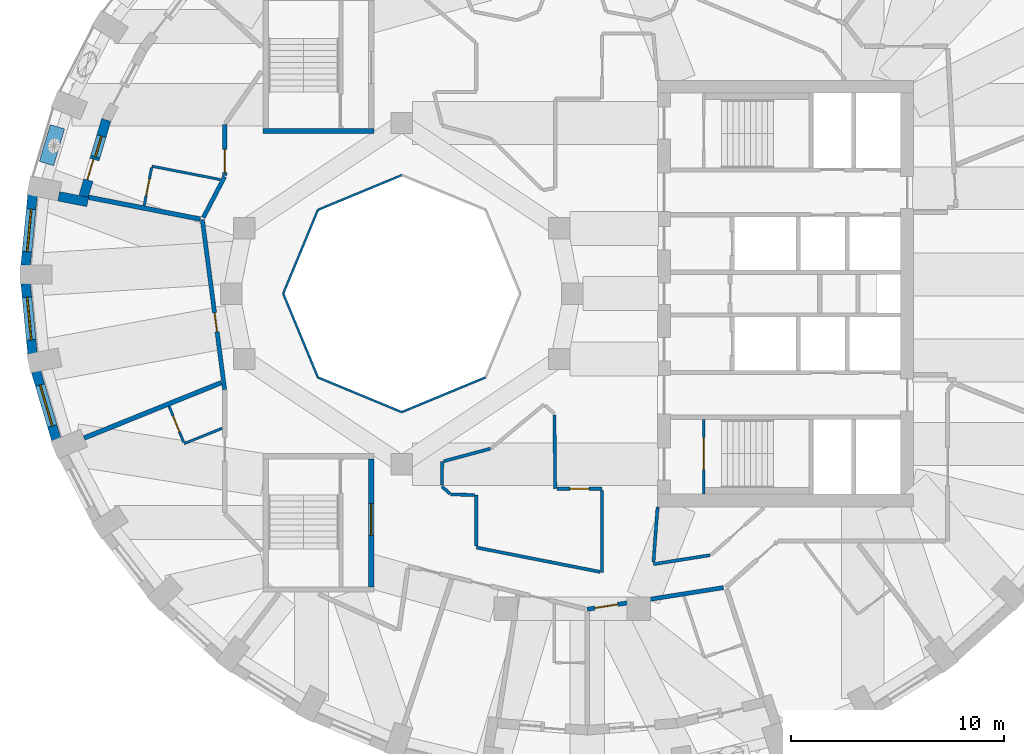
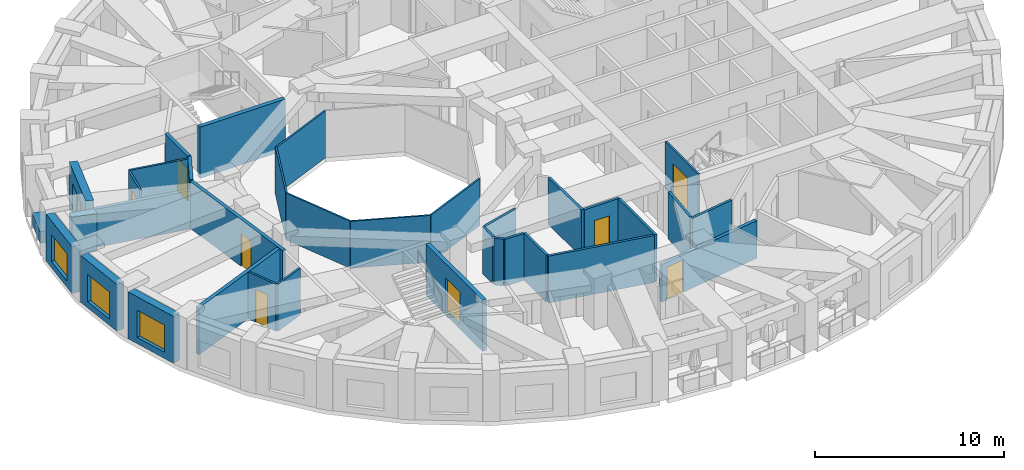
# One storey, part 4 of 12: 35 walls, 9 doors, 4 windows, 13 openings.
"""IFC4 building model written with IfcOpenShell, lengths in metres."""

from ifc_helpers import new_model, si_unit, direction, frame, frame_2d, origin, place, context, subcontext, project, spatial, rectangle, extrude, material, layer, layer_set, constituent, constituent_set, type_object, element, fill, save


model = new_model("IFC4")

# Units and contexts
model_context = context("Model", 3, precision=1e-05, world=origin(), true_north=direction((0.0, 1.0)))
body_context = subcontext(model_context, "Body", "Model", "MODEL_VIEW")
ifc_project = project(units=[si_unit("LENGTHUNIT", "METRE"), si_unit("AREAUNIT", "SQUARE_METRE"), si_unit("VOLUMEUNIT", "CUBIC_METRE"), si_unit("PLANEANGLEUNIT", "RADIAN"), si_unit("MASSUNIT", "GRAM", prefix="KILO")], contexts=[model_context])

# Site, building, storey
site_placement = place(None, origin())
site = spatial("IfcSite", under=ifc_project, at=site_placement, CompositionType="ELEMENT")
building_placement = place(site_placement, origin())
building = spatial("IfcBuilding", under=site, at=building_placement, Name="Taillehof Tower", CompositionType="ELEMENT")
storey_placement = place(building_placement, frame((0.0, 0.0, 202.39990234375)))
storey = spatial("IfcBuildingStorey", under=building, at=storey_placement, Name="L57", CompositionType="ELEMENT", Elevation=202.39990234375)

# Walls
ifc_material_1 = material(Name="Fire-resisting glass in steel frame", Category="steel")
ifc_layer_1 = layer(ifc_material_1, 0.10009765625)
ifc_layer_set_1 = layer_set([ifc_layer_1], Name="Atrium fire-resisting screen EI 60 100")
wall_type_1 = type_object("IfcWallType", Name="Atrium fire-resisting screen EI 60 100", PredefinedType="PARTITIONING", material=ifc_layer_set_1)
for number, where, z_axis, x_axis, name in (
    (1, (-4.07275390625, -3.92724609375, 0.0), (0.0, 0.0, 1.0), (-0.923860025149, -0.382730523909, 0.0), "Atrium screen"),
    (2, (-8.0, -5.55419921875, 0.0), (0.0, 0.0, 1.0), (-0.923860025149, 0.382730523909, 0.0), "Atrium screen"),
    (3, (-11.92724609375, -3.92724609375, 0.0), (0.0, 0.0, 1.0), (-0.382730523909, 0.923860025149, 0.0), "Atrium screen"),
    (4, (-13.55419921875, 0.0, 0.0), (0.0, 0.0, 1.0), (0.382730523909, 0.923860025149, 0.0), "Atrium screen"),
    (5, (-11.92724609375, 3.92724609375, 0.0), (0.0, 0.0, 1.0), (0.923860025149, 0.382730523909, 0.0), "Atrium screen"),
):
    element("IfcWall", number, at=place(storey_placement, frame(where, z_axis=z_axis, x_axis=x_axis)), inside=storey, type_object=wall_type_1, Name=name, PredefinedType="PARTITIONING", context=body_context, shape_type="SweptSolid", body=[
        extrude(rectangle(XDim=4.2509765625, YDim=0.10009765625, at=frame_2d((2.12548828125, 0.0))), origin(), (0.0, 0.0, 1.0), 3.02001953125),
    ])

# Wall, opening, window
ifc_material_2 = material(Name="Brick masonry", Category="masonry")
ifc_layer_2 = layer(ifc_material_2, 0.449951171875)
ifc_layer_set_2 = layer_set([ifc_layer_2], Name="Brick infill wall 450")
wall_type_2 = type_object("IfcWallType", Name="Brick infill wall 450", PredefinedType="SOLIDWALL", material=ifc_layer_set_2)
wall_1_placement = place(storey_placement, frame((-25.313232421875, 4.607666015625, 0.0), z_axis=(0.0, 0.0, 1.0), x_axis=(-0.096824116835, -0.995301507283, 0.0)))
wall_1 = element("IfcWall", 6, at=wall_1_placement, inside=storey, type_object=wall_type_2, Name="Brick wall L57 bay 18", PredefinedType="SOLIDWALL", context=body_context, shape_type="SweptSolid", body=[
    extrude(rectangle(XDim=3.29296875, YDim=0.449951171875, at=frame_2d((1.646484375, 0.0))), origin(), (0.0, 0.0, 1.0), 3.02001953125),
])
opening_1_placement = place(wall_1_placement, frame((0.646484375, 0.0, 0.39990234375)))
opening_1 = element("IfcOpeningElement", 7, at=opening_1_placement, cuts=wall_1, Name="Opening W2", PredefinedType="OPENING", context=body_context, shape_type="SweptSolid", body=[
    extrude(rectangle(XDim=2.0, YDim=1.75, at=frame_2d((1.0, 0.875))), frame((0.0, 0.23486328125, 0.0), z_axis=(0.0, -1.0, 0.0), x_axis=(1.0, 0.0, 0.0)), (0.0, 0.0, 1.0), 0.469970703125),
])
ifc_material_3 = material(Name="Aluminium window frame with clear double glazing", Category="aluminium")
window_type_1 = type_object("IfcWindowType", Name="Deep-set window 2000x1750", PartitioningType="SINGLE_PANEL", PredefinedType="WINDOW", material=ifc_material_3)
window_1_placement = place(opening_1_placement, origin())
window_1 = element("IfcWindow", 8, at=window_1_placement, inside=storey, type_object=window_type_1, Name="W2", OverallHeight=1.75, OverallWidth=2.0, PartitioningType="SINGLE_PANEL", PredefinedType="WINDOW", context=body_context, shape_type="SweptSolid", body=[
    extrude(rectangle(XDim=2.0, YDim=1.75, at=frame_2d((1.0, 0.875))), frame((0.0, 0.034912109375, 0.0), z_axis=(0.0, -1.0, 0.0), x_axis=(1.0, 0.0, 0.0)), (0.0, 0.0, 1.0), 0.06005859375),
])
fill(opening_1, window_1)

wall_2_placement = place(storey_placement, frame((-25.632080078125, 0.469970703125, 0.0), z_axis=(0.0, 0.0, 1.0), x_axis=(0.096816972749, -0.995302202242, 0.0)))
wall_2 = element("IfcWall", 9, at=wall_2_placement, inside=storey, type_object=wall_type_2, Name="Brick wall L57 bay 19", PredefinedType="SOLIDWALL", context=body_context, shape_type="SweptSolid", body=[
    extrude(rectangle(XDim=3.293212890625, YDim=0.449951171875, at=frame_2d((1.646484375, 0.0))), origin(), (0.0, 0.0, 1.0), 3.02001953125),
])
opening_2_placement = place(wall_2_placement, frame((0.646484375, 0.0, 0.39990234375)))
opening_2 = element("IfcOpeningElement", 10, at=opening_2_placement, cuts=wall_2, Name="Opening W2", PredefinedType="OPENING", context=body_context, shape_type="SweptSolid", body=[
    extrude(rectangle(XDim=2.0, YDim=1.75, at=frame_2d((1.0, 0.875))), frame((0.0, 0.23486328125, 0.0), z_axis=(0.0, -1.0, 0.0), x_axis=(1.0, 0.0, 0.0)), (0.0, 0.0, 1.0), 0.469970703125),
])
window_2_placement = place(opening_2_placement, origin())
window_2 = element("IfcWindow", 11, at=window_2_placement, inside=storey, type_object=window_type_1, Name="W2", OverallHeight=1.75, OverallWidth=2.0, PartitioningType="SINGLE_PANEL", PredefinedType="WINDOW", context=body_context, shape_type="SweptSolid", body=[
    extrude(rectangle(XDim=2.0, YDim=1.75, at=frame_2d((1.0, 0.875))), frame((0.0, 0.034912109375, 0.0), z_axis=(0.0, -1.0, 0.0), x_axis=(1.0, 0.0, 0.0)), (0.0, 0.0, 1.0), 0.06005859375),
])
fill(opening_2, window_2)

wall_3_placement = place(storey_placement, frame((-25.148193359375, -3.65185546875, 0.0), z_axis=(0.0, 0.0, 1.0), x_axis=(0.285444972963, -0.958395099847, 0.0)))
wall_3 = element("IfcWall", 12, at=wall_3_placement, inside=storey, type_object=wall_type_2, Name="Brick wall L57 bay 20", PredefinedType="SOLIDWALL", context=body_context, shape_type="SweptSolid", body=[
    extrude(rectangle(XDim=3.3203125, YDim=0.449951171875, at=frame_2d((1.66015625, 0.0))), origin(), (0.0, 0.0, 1.0), 3.02001953125),
])
opening_3_placement = place(wall_3_placement, frame((0.66015625, 0.0, 0.39990234375)))
opening_3 = element("IfcOpeningElement", 13, at=opening_3_placement, cuts=wall_3, Name="Opening W2", PredefinedType="OPENING", context=body_context, shape_type="SweptSolid", body=[
    extrude(rectangle(XDim=2.0, YDim=1.75, at=frame_2d((1.0, 0.875))), frame((0.0, 0.23486328125, 0.0), z_axis=(0.0, -1.0, 0.0), x_axis=(1.0, 0.0, 0.0)), (0.0, 0.0, 1.0), 0.469970703125),
])
window_3_placement = place(opening_3_placement, origin())
window_3 = element("IfcWindow", 14, at=window_3_placement, inside=storey, type_object=window_type_1, Name="W2", OverallHeight=1.75, OverallWidth=2.0, PartitioningType="SINGLE_PANEL", PredefinedType="WINDOW", context=body_context, shape_type="SweptSolid", body=[
    extrude(rectangle(XDim=2.0, YDim=1.75, at=frame_2d((1.0, 0.875))), frame((0.0, 0.034912109375, 0.0), z_axis=(0.0, -1.0, 0.0), x_axis=(1.0, 0.0, 0.0)), (0.0, 0.0, 1.0), 0.06005859375),
])
fill(opening_3, window_3)

# Wall
wall_4_placement = place(storey_placement, frame((-24.086669921875, 4.56298828125, 0.0), z_axis=(0.0, 0.0, 1.0), x_axis=(0.98143579878, -0.191790961394, 0.0)))
element("IfcWall", 15, at=wall_4_placement, inside=storey, type_object=wall_type_2, Name="Brick reveal L57 pocket 4", PredefinedType="SOLIDWALL", context=body_context, shape_type="SweptSolid", body=[
    extrude(rectangle(XDim=1.39013671875, YDim=0.449951171875, at=frame_2d((0.695068359375, 0.0))), origin(), (0.0, 0.0, 1.0), 2.47021484375),
])

# Wall, openings, door, window
wall_5_placement = place(storey_placement, frame((-21.8544921875, 8.146484375, 0.0), z_axis=(0.0, 0.0, 1.0), x_axis=(-0.284757753004, -0.958599510799, 0.0)))
wall_5 = element("IfcWall", 16, at=wall_5_placement, inside=storey, type_object=wall_type_2, Name="Brick wall L57 pocket bay 17", PredefinedType="SOLIDWALL", context=body_context, shape_type="SweptSolid", body=[
    extrude(rectangle(XDim=3.7373046875, YDim=0.449951171875, at=frame_2d((1.86865234375, 0.0))), origin(), (0.0, 0.0, 1.0), 3.02001953125),
])
opening_4_placement = place(wall_5_placement, frame((0.793701171875, 0.0, 0.39990234375)))
opening_4 = element("IfcOpeningElement", 17, at=opening_4_placement, cuts=wall_5, Name="Opening W5", PredefinedType="OPENING", context=body_context, shape_type="SweptSolid", body=[
    extrude(rectangle(XDim=1.0, YDim=1.75, at=frame_2d((0.5, 0.875))), frame((0.0, 0.23486328125, 0.0), z_axis=(0.0, -1.0, 0.0), x_axis=(1.0, 0.0, 0.0)), (0.0, 0.0, 1.0), 0.469970703125),
])
opening_5_placement = place(wall_5_placement, frame((1.943603515625, 0.0, 0.0)))
opening_5 = element("IfcOpeningElement", 18, at=opening_5_placement, cuts=wall_5, Name="Opening D5793", PredefinedType="OPENING", context=body_context, shape_type="SweptSolid", body=[
    extrude(rectangle(XDim=1.0, YDim=2.14990234375, at=frame_2d((0.5, 1.074951171875))), frame((0.0, 0.23486328125, 0.0), z_axis=(0.0, -1.0, 0.0), x_axis=(1.0, 0.0, 0.0)), (0.0, 0.0, 1.0), 0.469970703125),
])
ifc_material_4 = material(Name="Aluminium door frame with clear double glazing", Category="aluminium")
door_type_1 = type_object("IfcDoorType", Name="Balcony door 1000x2150", OperationType="SINGLE_SWING_RIGHT", PredefinedType="DOOR", material=ifc_material_4)
door_1_placement = place(opening_5_placement, frame((1.0, 0.0, 0.0), z_axis=(0.0, 0.0, 1.0), x_axis=(-1.0, 0.0, 0.0)))
door_1 = element("IfcDoor", 19, at=door_1_placement, inside=storey, type_object=door_type_1, Name="Balcony door L57 bay 17", OperationType="SINGLE_SWING_LEFT", OverallHeight=2.14990234375, OverallWidth=1.0, PredefinedType="DOOR", context=body_context, shape_type="SweptSolid", body=[
    extrude(rectangle(XDim=1.0, YDim=2.14990234375, at=frame_2d((0.5, 1.074951171875))), frame((0.0, 0.0751953125, 0.0), z_axis=(0.0, -1.0, 0.0), x_axis=(1.0, 0.0, 0.0)), (0.0, 0.0, 1.0), 0.050048828125),
])
fill(opening_5, door_1)
ifc_material_5 = material(Name="Aluminium window frame with clear double glazing", Category="aluminium")
window_type_2 = type_object("IfcWindowType", Name="Fixed window 1000x1750", PartitioningType="SINGLE_PANEL", PredefinedType="WINDOW", material=ifc_material_5)
window_4_placement = place(opening_4_placement, origin())
window_4 = element("IfcWindow", 20, at=window_4_placement, inside=storey, type_object=window_type_2, Name="W5", OverallHeight=1.75, OverallWidth=1.0, PartitioningType="SINGLE_PANEL", PredefinedType="WINDOW", context=body_context, shape_type="SweptSolid", body=[
    extrude(rectangle(XDim=1.0, YDim=1.75, at=frame_2d((0.5, 0.875))), frame((0.0, 0.034912109375, 0.0), z_axis=(0.0, -1.0, 0.0), x_axis=(1.0, 0.0, 0.0)), (0.0, 0.0, 1.0), 0.06005859375),
])
fill(opening_4, window_4)

# Wall, opening, door
ifc_material_6 = material(Name="Gypsum board on steel studs, two layers each side", Category="steel")
ifc_layer_3 = layer(ifc_material_6, 0.199951171875)
ifc_layer_set_3 = layer_set([ifc_layer_3], Name="Compartment wall corridor 200")
wall_type_3 = type_object("IfcWallType", Name="Compartment wall corridor 200", PredefinedType="PARTITIONING", material=ifc_layer_set_3)
wall_6_placement = place(storey_placement, frame((7.08935546875, -13.785888671875, 0.0), z_axis=(0.0, 0.0, 1.0), x_axis=(-0.987636270411, -0.156762869867, 0.0)))
wall_6 = element("IfcWall", 21, at=wall_6_placement, inside=storey, type_object=wall_type_3, Name="Compartment wall", PredefinedType="PARTITIONING", context=body_context, shape_type="SweptSolid", body=[
    extrude(rectangle(XDim=6.469482421875, YDim=0.199951171875, at=frame_2d((3.23486328125, 0.0))), origin(), (0.0, 0.0, 1.0), 2.420166015625),
])
opening_6_placement = place(wall_6_placement, frame((5.015869140625, 0.0, 0.0)))
opening_6 = element("IfcOpeningElement", 22, at=opening_6_placement, cuts=wall_6, Name="Opening D5759", PredefinedType="OPENING", context=body_context, shape_type="SweptSolid", body=[
    extrude(rectangle(XDim=1.10009765625, YDim=2.10009765625, at=frame_2d((0.550048828125, 1.050048828125))), frame((0.0, 0.10986328125, 0.0), z_axis=(0.0, -1.0, 0.0), x_axis=(1.0, 0.0, 0.0)), (0.0, 0.0, 1.0), 0.219970703125),
])
ifc_material_7 = material(Name="Timber door leaf in steel frame", Category="steel")
door_type_2 = type_object("IfcDoorType", Name="Suite entrance door EI 30 1100 x 2100", OperationType="SINGLE_SWING_LEFT", PredefinedType="DOOR", material=ifc_material_7)
door_2_placement = place(opening_6_placement, origin())
door_2 = element("IfcDoor", 23, at=door_2_placement, inside=storey, type_object=door_type_2, Name="D5759", OperationType="SINGLE_SWING_RIGHT", OverallHeight=2.10009765625, OverallWidth=1.10009765625, PredefinedType="DOOR", context=body_context, shape_type="SweptSolid", body=[
    extrude(rectangle(XDim=1.10009765625, YDim=2.10009765625, at=frame_2d((0.550048828125, 1.050048828125))), frame((0.0, 0.02490234375, 0.0), z_axis=(0.0, -1.0, 0.0), x_axis=(1.0, 0.0, 0.0)), (0.0, 0.0, 1.0), 0.050048828125),
])
fill(opening_6, door_2)

wall_7_placement = place(storey_placement, frame((-16.302734375, -4.500732421875, 0.0), z_axis=(0.0, 0.0, 1.0), x_axis=(-0.130191522351, 0.991488864036, 0.0)))
wall_7 = element("IfcWall", 24, at=wall_7_placement, inside=storey, type_object=wall_type_3, Name="Compartment wall", PredefinedType="PARTITIONING", context=body_context, shape_type="SweptSolid", body=[
    extrude(rectangle(XDim=8.044677734375, YDim=0.199951171875, at=frame_2d((4.0224609375, 0.0))), origin(), (0.0, 0.0, 1.0), 3.02001953125),
])
opening_7_placement = place(wall_7_placement, frame((2.737548828125, 0.0, 0.0)))
opening_7 = element("IfcOpeningElement", 25, at=opening_7_placement, cuts=wall_7, Name="Opening D5752", PredefinedType="OPENING", context=body_context, shape_type="SweptSolid", body=[
    extrude(rectangle(XDim=0.89990234375, YDim=2.10009765625, at=frame_2d((0.449951171875, 1.050048828125))), frame((0.0, 0.10986328125, 0.0), z_axis=(0.0, -1.0, 0.0), x_axis=(1.0, 0.0, 0.0)), (0.0, 0.0, 1.0), 0.219970703125),
])
ifc_material_8 = material(Name="Timber door leaf in steel frame", Category="steel")
door_type_3 = type_object("IfcDoorType", Name="Service room door EI 30 900 x 2100", OperationType="SINGLE_SWING_LEFT", PredefinedType="DOOR", material=ifc_material_8)
door_3_placement = place(opening_7_placement, origin())
door_3 = element("IfcDoor", 26, at=door_3_placement, inside=storey, type_object=door_type_3, Name="D5752", OperationType="SINGLE_SWING_LEFT", OverallHeight=2.10009765625, OverallWidth=0.89990234375, PredefinedType="DOOR", context=body_context, shape_type="SweptSolid", body=[
    extrude(rectangle(XDim=0.89990234375, YDim=2.10009765625, at=frame_2d((0.449951171875, 1.050048828125))), frame((0.0, 0.02490234375, 0.0), z_axis=(0.0, -1.0, 0.0), x_axis=(1.0, 0.0, 0.0)), (0.0, 0.0, 1.0), 0.050048828125),
])
fill(opening_7, door_3)

# Wall
wall_8_placement = place(storey_placement, frame((-17.3037109375, 3.564697265625, 0.0), z_axis=(0.0, 0.0, 1.0), x_axis=(0.46212415324, 0.886815238363, 0.0)))
element("IfcWall", 27, at=wall_8_placement, inside=storey, type_object=wall_type_3, Name="Compartment wall", PredefinedType="PARTITIONING", context=body_context, shape_type="SweptSolid", body=[
    extrude(rectangle(XDim=2.171875, YDim=0.199951171875, at=frame_2d((1.0859375, 0.0))), origin(), (0.0, 0.0, 1.0), 3.02001953125),
])

# Wall, opening, door
wall_9_placement = place(storey_placement, frame((-16.300048828125, 5.53076171875, 0.0), z_axis=(0.0, 0.0, 1.0), x_axis=(0.0, 1.0, 0.0)))
wall_9 = element("IfcWall", 28, at=wall_9_placement, inside=storey, type_object=wall_type_3, Name="Compartment wall", PredefinedType="PARTITIONING", context=body_context, shape_type="SweptSolid", body=[
    extrude(rectangle(XDim=2.409423828125, YDim=0.199951171875, at=frame_2d((1.20458984375, 0.0))), origin(), (0.0, 0.0, 1.0), 3.02001953125),
])
opening_8_placement = place(wall_9_placement, frame((0.139892578125, 0.0, 0.0)))
opening_8 = element("IfcOpeningElement", 29, at=opening_8_placement, cuts=wall_9, Name="Opening D5750", PredefinedType="OPENING", context=body_context, shape_type="SweptSolid", body=[
    extrude(rectangle(XDim=1.10009765625, YDim=2.10009765625, at=frame_2d((0.550048828125, 1.050048828125))), frame((0.0, 0.10986328125, 0.0), z_axis=(0.0, -1.0, 0.0), x_axis=(1.0, 0.0, 0.0)), (0.0, 0.0, 1.0), 0.219970703125),
])
door_4_placement = place(opening_8_placement, origin())
door_4 = element("IfcDoor", 30, at=door_4_placement, inside=storey, type_object=door_type_2, Name="D5750", OperationType="SINGLE_SWING_LEFT", OverallHeight=2.10009765625, OverallWidth=1.10009765625, PredefinedType="DOOR", context=body_context, shape_type="SweptSolid", body=[
    extrude(rectangle(XDim=1.10009765625, YDim=2.10009765625, at=frame_2d((0.550048828125, 1.050048828125))), frame((0.0, 0.02490234375, 0.0), z_axis=(0.0, -1.0, 0.0), x_axis=(1.0, 0.0, 0.0)), (0.0, 0.0, 1.0), 0.050048828125),
])
fill(opening_8, door_4)

# Walls
ifc_material_9 = material(Name="Gypsum board on double steel studs with mineral wool", Category="steel")
ifc_layer_4 = layer(ifc_material_9, 0.219970703125)
ifc_layer_set_4 = layer_set([ifc_layer_4], Name="Compartment wall guest room 220")
wall_type_4 = type_object("IfcWallType", Name="Compartment wall guest room 220", PredefinedType="PARTITIONING", material=ifc_layer_set_4)
wall_10_placement = place(storey_placement, frame((-22.69677734375, 4.5205078125, 0.0), z_axis=(0.0, 0.0, 1.0), x_axis=(0.981448712972, -0.19172486486, 0.0)))
element("IfcWall", 31, at=wall_10_placement, inside=storey, type_object=wall_type_4, Name="Compartment wall", PredefinedType="PARTITIONING", context=body_context, shape_type="SweptSolid", body=[
    extrude(rectangle(XDim=5.34814453125, YDim=0.219970703125, at=frame_2d((2.674072265625, 0.0))), origin(), (0.0, 0.0, 1.0), 2.47021484375),
])
wall_11_placement = place(storey_placement, frame((-22.8955078125, -6.771484375, 0.0), z_axis=(0.0, 0.0, 1.0), x_axis=(0.927377440276, 0.374127095073, 0.0)))
element("IfcWall", 32, at=wall_11_placement, inside=storey, type_object=wall_type_4, Name="Compartment wall", PredefinedType="PARTITIONING", context=body_context, shape_type="SweptSolid", body=[
    extrude(rectangle(XDim=6.933349609375, YDim=0.219970703125, at=frame_2d((3.466796875, 0.0))), origin(), (0.0, 0.0, 1.0), 3.02001953125),
])
ifc_material_10 = material(Name="Gypsum board on steel studs, two layers each side", Category="steel")
ifc_layer_5 = layer(ifc_material_10, 0.14990234375)
ifc_layer_set_5 = layer_set([ifc_layer_5], Name="Compartment wall service room 150")
wall_type_5 = type_object("IfcWallType", Name="Compartment wall service room 150", PredefinedType="PARTITIONING", material=ifc_layer_set_5)
wall_12_placement = place(storey_placement, frame((-0.8369140625, -5.69873046875, 0.0), z_axis=(0.0, 0.0, 1.0), x_axis=(0.010681337428, -0.999942952888, 0.0)))
element("IfcWall", 33, at=wall_12_placement, inside=storey, type_object=wall_type_5, Name="Compartment wall", PredefinedType="PARTITIONING", context=body_context, shape_type="SweptSolid", body=[
    extrude(rectangle(XDim=3.451416015625, YDim=0.14990234375, at=frame_2d((1.7255859375, 0.0))), origin(), (0.0, 0.0, 1.0), 3.02001953125),
])

# Wall, opening, door
wall_13_placement = place(storey_placement, frame((-0.719970703125, -9.14990234375, 0.0), z_axis=(0.0, 0.0, 1.0), x_axis=(1.0, 0.0, 0.0)))
wall_13 = element("IfcWall", 34, at=wall_13_placement, inside=storey, type_object=wall_type_5, Name="Compartment wall", PredefinedType="PARTITIONING", context=body_context, shape_type="SweptSolid", body=[
    extrude(rectangle(XDim=2.119873046875, YDim=0.14990234375, at=frame_2d((1.06005859375, 0.0))), origin(), (0.0, 0.0, 1.0), 3.02001953125),
])
opening_9_placement = place(wall_13_placement, frame((0.60986328125, 0.0, 0.0)))
opening_9 = element("IfcOpeningElement", 35, at=opening_9_placement, cuts=wall_13, Name="Opening D5767", PredefinedType="OPENING", context=body_context, shape_type="SweptSolid", body=[
    extrude(rectangle(XDim=0.89990234375, YDim=2.10009765625, at=frame_2d((0.449951171875, 1.050048828125))), frame((0.0, 0.0849609375, 0.0), z_axis=(0.0, -1.0, 0.0), x_axis=(1.0, 0.0, 0.0)), (0.0, 0.0, 1.0), 0.169921875),
])
door_5_placement = place(opening_9_placement, origin())
door_5 = element("IfcDoor", 36, at=door_5_placement, inside=storey, type_object=door_type_3, Name="D5767", OperationType="SINGLE_SWING_LEFT", OverallHeight=2.10009765625, OverallWidth=0.89990234375, PredefinedType="DOOR", context=body_context, shape_type="SweptSolid", body=[
    extrude(rectangle(XDim=0.89990234375, YDim=2.10009765625, at=frame_2d((0.449951171875, 1.050048828125))), frame((0.0, 0.02490234375, 0.0), z_axis=(0.0, -1.0, 0.0), x_axis=(1.0, 0.0, 0.0)), (0.0, 0.0, 1.0), 0.050048828125),
])
fill(opening_9, door_5)

# Walls
wall_14_placement = place(storey_placement, frame((1.39990234375, -9.22998046875, 0.0), z_axis=(0.0, 0.0, 1.0), x_axis=(0.0, -1.0, 0.0)))
element("IfcWall", 37, at=wall_14_placement, inside=storey, type_object=wall_type_5, Name="Compartment wall", PredefinedType="PARTITIONING", context=body_context, shape_type="SweptSolid", body=[
    extrude(rectangle(XDim=3.8388671875, YDim=0.14990234375, at=frame_2d((1.91943359375, 0.0))), origin(), (0.0, 0.0, 1.0), 3.02001953125),
])
wall_15_placement = place(storey_placement, frame((1.30224609375, -13.04931640625, 0.0), z_axis=(0.0, 0.0, 1.0), x_axis=(-0.981063502149, 0.193686356647, 0.0)))
element("IfcWall", 38, at=wall_15_placement, inside=storey, type_object=wall_type_5, Name="Compartment wall", PredefinedType="PARTITIONING", context=body_context, shape_type="SweptSolid", body=[
    extrude(rectangle(XDim=5.914306640625, YDim=0.14990234375, at=frame_2d((2.95703125, 0.0))), origin(), (0.0, 0.0, 1.0), 3.02001953125),
])
wall_16_placement = place(storey_placement, frame((-4.5, -11.82373046875, 0.0), z_axis=(0.0, 0.0, 1.0), x_axis=(0.0, 1.0, 0.0)))
element("IfcWall", 39, at=wall_16_placement, inside=storey, type_object=wall_type_5, Name="Compartment wall", PredefinedType="PARTITIONING", context=body_context, shape_type="SweptSolid", body=[
    extrude(rectangle(XDim=2.373779296875, YDim=0.14990234375, at=frame_2d((1.18701171875, 0.0))), origin(), (0.0, 0.0, 1.0), 3.02001953125),
])
wall_17_placement = place(storey_placement, frame((-4.580078125, -9.447021484375, 0.0), z_axis=(0.0, 0.0, 1.0), x_axis=(-0.999526758156, 0.030761334993, 0.0)))
element("IfcWall", 40, at=wall_17_placement, inside=storey, type_object=wall_type_5, Name="Compartment wall", PredefinedType="PARTITIONING", context=body_context, shape_type="SweptSolid", body=[
    extrude(rectangle(XDim=1.126953125, YDim=0.14990234375, at=frame_2d((0.5634765625, 0.0))), origin(), (0.0, 0.0, 1.0), 3.02001953125),
])
wall_18_placement = place(storey_placement, frame((-5.736328125, -9.385498046875, 0.0), z_axis=(0.0, 0.0, 1.0), x_axis=(-0.740919573429, 0.671593765389, 0.0)))
element("IfcWall", 41, at=wall_18_placement, inside=storey, type_object=wall_type_5, Name="Compartment wall", PredefinedType="PARTITIONING", context=body_context, shape_type="SweptSolid", body=[
    extrude(rectangle(XDim=0.507080078125, YDim=0.14990234375, at=frame_2d((0.25341796875, 0.0))), origin(), (0.0, 0.0, 1.0), 3.02001953125),
])
wall_19_placement = place(storey_placement, frame((-6.111328125, -8.98486328125, 0.0), z_axis=(0.0, 0.0, 1.0), x_axis=(0.010133870444, 0.999948651017, 0.0)))
element("IfcWall", 42, at=wall_19_placement, inside=storey, type_object=wall_type_5, Name="Compartment wall", PredefinedType="PARTITIONING", context=body_context, shape_type="SweptSolid", body=[
    extrude(rectangle(XDim=1.108154296875, YDim=0.14990234375, at=frame_2d((0.55419921875, 0.0))), origin(), (0.0, 0.0, 1.0), 3.02001953125),
])
wall_20_placement = place(storey_placement, frame((-6.02294921875, -7.856201171875, 0.0), z_axis=(0.0, 0.0, 1.0), x_axis=(0.965887119847, 0.25896345633, 0.0)))
element("IfcWall", 43, at=wall_20_placement, inside=storey, type_object=wall_type_5, Name="Compartment wall", PredefinedType="PARTITIONING", context=body_context, shape_type="SweptSolid", body=[
    extrude(rectangle(XDim=2.254150390625, YDim=0.14990234375, at=frame_2d((1.126953125, 0.0))), origin(), (0.0, 0.0, 1.0), 3.02001953125),
])
wall_21_placement = place(storey_placement, frame((6.456787109375, -12.266357421875, 0.0), z_axis=(0.0, 0.0, 1.0), x_axis=(-0.987639766053, -0.156740845063, 0.0)))
element("IfcWall", 44, at=wall_21_placement, inside=storey, type_object=wall_type_5, Name="Compartment wall", PredefinedType="PARTITIONING", context=body_context, shape_type="SweptSolid", body=[
    extrude(rectangle(XDim=2.68994140625, YDim=0.14990234375, at=frame_2d((1.344970703125, 0.0))), origin(), (0.0, 0.0, 1.0), 3.02001953125),
])
wall_22_placement = place(storey_placement, frame((3.807373046875, -12.587890625, 0.0), z_axis=(0.0, 0.0, 1.0), x_axis=(0.07420077159, 0.997243323114, 0.0)))
element("IfcWall", 45, at=wall_22_placement, inside=storey, type_object=wall_type_5, Name="Compartment wall", PredefinedType="PARTITIONING", context=body_context, shape_type="SweptSolid", body=[
    extrude(rectangle(XDim=2.595947265625, YDim=0.14990234375, at=frame_2d((1.2978515625, 0.0))), origin(), (0.0, 0.0, 1.0), 3.02001953125),
])
ifc_material_11 = material(Name="Gypsum board on steel studs, moisture resistant", Category="steel")
ifc_layer_6 = layer(ifc_material_11, 0.1201171875)
ifc_layer_set_6 = layer_set([ifc_layer_6], Name="En-suite wall 120")
wall_type_6 = type_object("IfcWallType", Name="En-suite wall 120", PredefinedType="PARTITIONING", material=ifc_layer_set_6)
wall_23_placement = place(storey_placement, frame((-16.508056640625, 5.34912109375, 0.0), z_axis=(0.0, 0.0, 1.0), x_axis=(-0.981441910277, 0.191759684898, 0.0)))
element("IfcWall", 46, at=wall_23_placement, inside=storey, type_object=wall_type_6, Name="En-suite wall", PredefinedType="PARTITIONING", context=body_context, shape_type="SweptSolid", body=[
    extrude(rectangle(XDim=3.266845703125, YDim=0.1201171875, at=frame_2d((1.63330078125, 0.0))), origin(), (0.0, 0.0, 1.0), 3.02001953125),
])
wall_24_placement = place(storey_placement, frame((-16.418701171875, -6.315185546875, 0.0), z_axis=(0.0, 0.0, 1.0), x_axis=(-0.927358946461, -0.374172933841, 0.0)))
element("IfcWall", 47, at=wall_24_placement, inside=storey, type_object=wall_type_6, Name="En-suite wall", PredefinedType="PARTITIONING", context=body_context, shape_type="SweptSolid", body=[
    extrude(rectangle(XDim=1.920166015625, YDim=0.1201171875, at=frame_2d((0.9599609375, 0.0))), origin(), (0.0, 0.0, 1.0), 3.02001953125),
])

# Wall, opening, door
wall_25_placement = place(storey_placement, frame((-19.725830078125, 5.916748046875, 0.0), z_axis=(0.0, 0.0, 1.0), x_axis=(-0.191830051998, -0.981428158935, 0.0)))
wall_25 = element("IfcWall", 48, at=wall_25_placement, inside=storey, type_object=wall_type_6, Name="En-suite wall", PredefinedType="PARTITIONING", context=body_context, shape_type="SweptSolid", body=[
    extrude(rectangle(XDim=1.830078125, YDim=0.1201171875, at=frame_2d((0.9150390625, 0.0))), origin(), (0.0, 0.0, 1.0), 3.02001953125),
])
opening_10_placement = place(wall_25_placement, frame((0.5400390625, 0.0, 0.0)))
opening_10 = element("IfcOpeningElement", 49, at=opening_10_placement, cuts=wall_25, Name="Opening D5751", PredefinedType="OPENING", context=body_context, shape_type="SweptSolid", body=[
    extrude(rectangle(XDim=0.800048828125, YDim=2.10009765625, at=frame_2d((0.39990234375, 1.050048828125))), frame((0.0, 0.070068359375, 0.0), z_axis=(0.0, -1.0, 0.0), x_axis=(1.0, 0.0, 0.0)), (0.0, 0.0, 1.0), 0.14013671875),
])
ifc_material_12 = material(Name="Timber door leaf in steel frame", Category="steel")
door_type_4 = type_object("IfcDoorType", Name="En-suite door 800 x 2100", OperationType="SINGLE_SWING_LEFT", PredefinedType="DOOR", material=ifc_material_12)
door_6_placement = place(opening_10_placement, origin())
door_6 = element("IfcDoor", 50, at=door_6_placement, inside=storey, type_object=door_type_4, Name="D5751", OperationType="SINGLE_SWING_LEFT", OverallHeight=2.10009765625, OverallWidth=0.800048828125, PredefinedType="DOOR", context=body_context, shape_type="SweptSolid", body=[
    extrude(rectangle(XDim=0.800048828125, YDim=2.10009765625, at=frame_2d((0.39990234375, 1.050048828125))), frame((0.0, 0.02490234375, 0.0), z_axis=(0.0, -1.0, 0.0), x_axis=(1.0, 0.0, 0.0)), (0.0, 0.0, 1.0), 0.050048828125),
])
fill(opening_10, door_6)

wall_26_placement = place(storey_placement, frame((-18.221923828125, -6.97802734375, 0.0), z_axis=(0.0, 0.0, 1.0), x_axis=(-0.374218187905, 0.927340685963, 0.0)))
wall_26 = element("IfcWall", 51, at=wall_26_placement, inside=storey, type_object=wall_type_6, Name="En-suite wall", PredefinedType="PARTITIONING", context=body_context, shape_type="SweptSolid", body=[
    extrude(rectangle(XDim=1.830078125, YDim=0.1201171875, at=frame_2d((0.9150390625, 0.0))), origin(), (0.0, 0.0, 1.0), 3.02001953125),
])
opening_11_placement = place(wall_26_placement, frame((0.5400390625, 0.0, 0.0)))
opening_11 = element("IfcOpeningElement", 52, at=opening_11_placement, cuts=wall_26, Name="Opening D5754", PredefinedType="OPENING", context=body_context, shape_type="SweptSolid", body=[
    extrude(rectangle(XDim=0.800048828125, YDim=2.10009765625, at=frame_2d((0.39990234375, 1.050048828125))), frame((0.0, 0.070068359375, 0.0), z_axis=(0.0, -1.0, 0.0), x_axis=(1.0, 0.0, 0.0)), (0.0, 0.0, 1.0), 0.14013671875),
])
door_7_placement = place(opening_11_placement, origin())
door_7 = element("IfcDoor", 53, at=door_7_placement, inside=storey, type_object=door_type_4, Name="D5754", OperationType="SINGLE_SWING_RIGHT", OverallHeight=2.10009765625, OverallWidth=0.800048828125, PredefinedType="DOOR", context=body_context, shape_type="SweptSolid", body=[
    extrude(rectangle(XDim=0.800048828125, YDim=2.10009765625, at=frame_2d((0.39990234375, 1.050048828125))), frame((0.0, 0.02490234375, 0.0), z_axis=(0.0, -1.0, 0.0), x_axis=(1.0, 0.0, 0.0)), (0.0, 0.0, 1.0), 0.050048828125),
])
fill(opening_11, door_7)

# Wall
ifc_material_13 = material(Name="Concrete C30/37 precast", Category="concrete")
ifc_constituent_1 = constituent(ifc_material_13, Name="Structure", Category="concrete")
ifc_material_14 = material(Name="Insulated lining")
ifc_constituent_2 = constituent(ifc_material_14, Name="Lining")
ifc_constituent_set = constituent_set(constituents=[ifc_constituent_1, ifc_constituent_2], Name="Planter trough 700x750")
wall_type_7 = type_object("IfcWallType", Name="Planter trough 700x750", PredefinedType="USERDEFINED", material=ifc_constituent_set)
wall_27_placement = place(storey_placement, frame((-24.144287109375, 7.823974609375, 0.0), z_axis=(0.0, 0.0, 1.0), x_axis=(-0.285505743157, -0.958376998171, 0.0)))
element("IfcWall", 54, at=wall_27_placement, inside=storey, type_object=wall_type_7, Name="Planter L57 bay 17", ObjectType="PLANTER", PredefinedType="USERDEFINED", context=body_context, shape_type="SweptSolid", body=[
    extrude(rectangle(XDim=1.800048828125, YDim=0.699951171875, at=frame_2d((0.89990234375, 0.0))), origin(), (0.0, 0.0, 1.0), 0.75),
])

# Wall, opening, door
ifc_material_15 = material(Name="Concrete C50/60", Category="concrete")
ifc_layer_7 = layer(ifc_material_15, 0.1201171875)
ifc_layer_set_7 = layer_set([ifc_layer_7], Name="Stair lobby wall C50/60 120")
wall_type_8 = type_object("IfcWallType", Name="Stair lobby wall C50/60 120", PredefinedType="SHEAR", material=ifc_layer_set_7)
wall_28_placement = place(storey_placement, frame((6.159912109375, -9.39990234375, 0.0), z_axis=(0.0, 0.0, 1.0), x_axis=(0.0, 1.0, 0.0)))
wall_28 = element("IfcWall", 55, at=wall_28_placement, inside=storey, type_object=wall_type_8, Name="Compartment wall SW", PredefinedType="SHEAR", context=body_context, shape_type="SweptSolid", body=[
    extrude(rectangle(XDim=3.5, YDim=0.1201171875, at=frame_2d((1.75, 0.0))), origin(), (0.0, 0.0, 1.0), 3.02001953125),
])
opening_12_placement = place(wall_28_placement, frame((1.14990234375, 0.0, 0.0)))
opening_12 = element("IfcOpeningElement", 56, at=opening_12_placement, cuts=wall_28, Name="Opening D5711", PredefinedType="OPENING", context=body_context, shape_type="SweptSolid", body=[
    extrude(rectangle(XDim=1.5, YDim=2.10009765625, at=frame_2d((0.75, 1.050048828125))), frame((0.0, 0.070068359375, 0.0), z_axis=(0.0, -1.0, 0.0), x_axis=(1.0, 0.0, 0.0)), (0.0, 0.0, 1.0), 0.14013671875),
])
ifc_material_16 = material(Name="Steel-faced fire door", Category="steel")
door_type_5 = type_object("IfcDoorType", Name="Stair door 1500x2100", OperationType="DOUBLE_DOOR_SINGLE_SWING", PredefinedType="DOOR", material=ifc_material_16)
door_8_placement = place(opening_12_placement, origin())
door_8 = element("IfcDoor", 57, at=door_8_placement, inside=storey, type_object=door_type_5, Name="Stair lobby door S2", OperationType="DOUBLE_DOOR_SINGLE_SWING", OverallHeight=2.10009765625, OverallWidth=1.5, PredefinedType="DOOR", context=body_context, shape_type="SweptSolid", body=[
    extrude(rectangle(XDim=1.5, YDim=2.10009765625, at=frame_2d((0.75, 1.050048828125))), frame((0.0, 0.02490234375, 0.0), z_axis=(0.0, -1.0, 0.0), x_axis=(1.0, 0.0, 0.0)), (0.0, 0.0, 1.0), 0.050048828125),
])
fill(opening_12, door_8)

# Wall
ifc_material_17 = material(Name="Concrete C50/60", Category="concrete")
ifc_layer_8 = layer(ifc_material_17, 0.25)
ifc_layer_set_8 = layer_set([ifc_layer_8], Name="Stair wall C50/60 250")
wall_type_9 = type_object("IfcWallType", Name="Stair wall C50/60 250", PredefinedType="SHEAR", material=ifc_layer_set_8)
wall_29_placement = place(storey_placement, frame((-14.5, 7.625, -0.27978515625), z_axis=(0.0, 0.0, 1.0), x_axis=(1.0, 0.0, 0.0)))
element("IfcWall", 58, at=wall_29_placement, inside=storey, type_object=wall_type_9, Name="Stair wall SC", PredefinedType="SHEAR", context=body_context, shape_type="SweptSolid", body=[
    extrude(rectangle(XDim=5.199951171875, YDim=0.25, at=frame_2d((2.60009765625, 0.0))), origin(), (0.0, 0.0, 1.0), 3.2998046875),
])

# Wall, opening, door
wall_30_placement = place(storey_placement, frame((-9.425048828125, -13.75, -0.27978515625), z_axis=(0.0, 0.0, 1.0), x_axis=(0.0, 1.0, 0.0)))
wall_30 = element("IfcWall", 59, at=wall_30_placement, inside=storey, type_object=wall_type_9, Name="Stair wall SC", PredefinedType="SHEAR", context=body_context, shape_type="SweptSolid", body=[
    extrude(rectangle(XDim=6.0, YDim=0.25, at=frame_2d((3.0, 0.0))), origin(), (0.0, 0.0, 1.0), 3.2998046875),
])
opening_13_placement = place(wall_30_placement, frame((2.39990234375, 0.0, 0.280029296875)))
opening_13 = element("IfcOpeningElement", 60, at=opening_13_placement, cuts=wall_30, Name="Opening D5716", PredefinedType="OPENING", context=body_context, shape_type="SweptSolid", body=[
    extrude(rectangle(XDim=1.5, YDim=2.10009765625, at=frame_2d((0.75, 1.050048828125))), frame((0.0, 0.135009765625, 0.0), z_axis=(0.0, -1.0, 0.0), x_axis=(1.0, 0.0, 0.0)), (0.0, 0.0, 1.0), 0.27001953125),
])
door_9_placement = place(opening_13_placement, origin())
door_9 = element("IfcDoor", 61, at=door_9_placement, inside=storey, type_object=door_type_5, Name="Stair door S4", OperationType="DOUBLE_DOOR_SINGLE_SWING", OverallHeight=2.10009765625, OverallWidth=1.5, PredefinedType="DOOR", context=body_context, shape_type="SweptSolid", body=[
    extrude(rectangle(XDim=1.5, YDim=2.10009765625, at=frame_2d((0.75, 1.050048828125))), frame((0.0, 0.02490234375, 0.0), z_axis=(0.0, -1.0, 0.0), x_axis=(1.0, 0.0, 0.0)), (0.0, 0.0, 1.0), 0.050048828125),
])
fill(opening_13, door_9)

save(model, "model.ifc")
